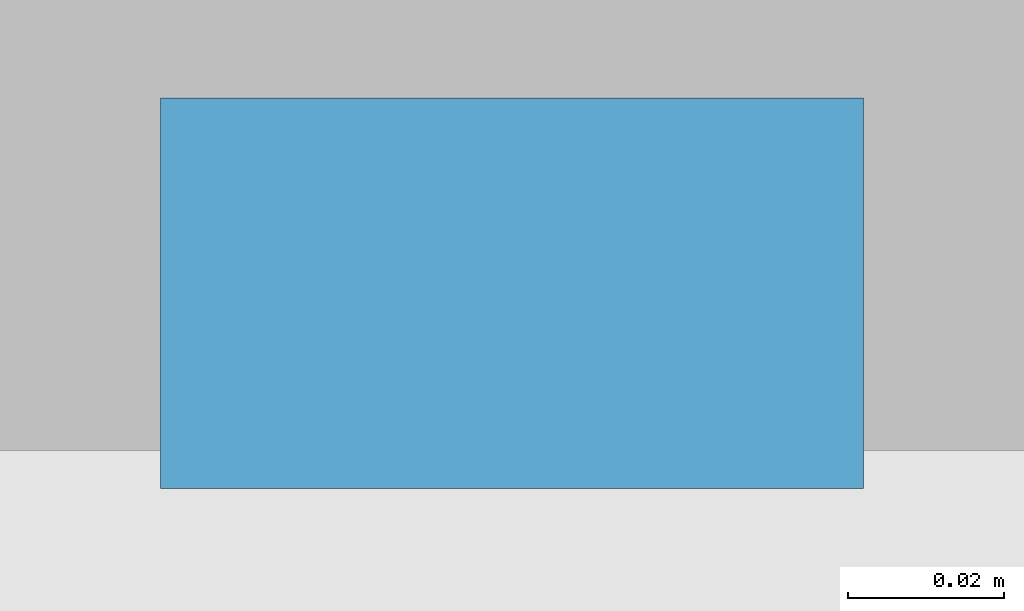
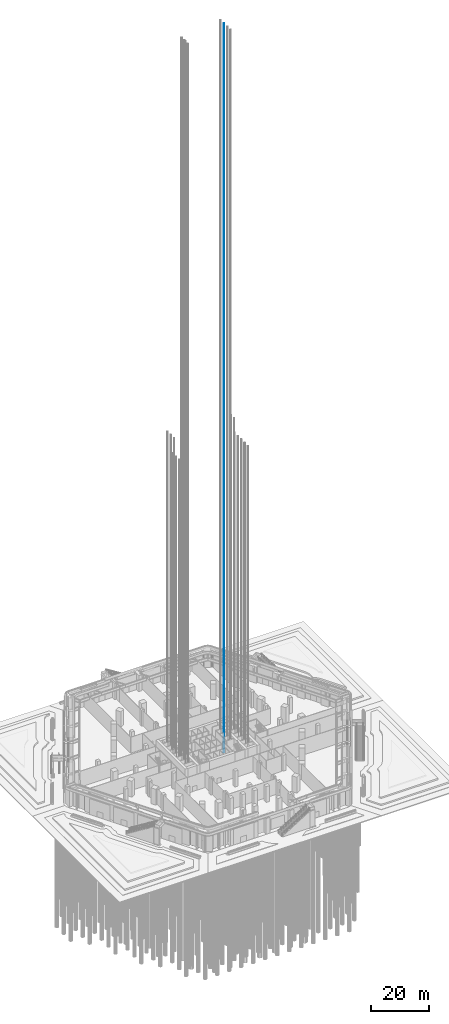
# One storey, part 53 of 68: 1 discrete accessory.
"""IFC4 building model written with IfcOpenShell, lengths in metres."""

from ifc_helpers import new_model, si_unit, direction, frame, origin, origin_2d, place, context, subcontext, project, spatial, rectangle, extrude, element, save


model = new_model("IFC4")

# Units and contexts
model_context = context("Model", 3, precision=1e-05, world=origin(), true_north=direction((0.0, 1.0)))
body_context = subcontext(model_context, "Body", "Model", "MODEL_VIEW")
ifc_project = project(units=[si_unit("LENGTHUNIT", "METRE"), si_unit("AREAUNIT", "SQUARE_METRE"), si_unit("VOLUMEUNIT", "CUBIC_METRE"), si_unit("PLANEANGLEUNIT", "RADIAN"), si_unit("MASSUNIT", "GRAM", prefix="KILO")], contexts=[model_context])

# Site, building, storey
site_placement = place(None, origin())
site = spatial("IfcSite", under=ifc_project, at=site_placement, CompositionType="ELEMENT")
building_placement = place(site_placement, origin())
building = spatial("IfcBuilding", under=site, at=building_placement, Name="Kolab Exchange Tower", CompositionType="ELEMENT")
storey_placement = place(building_placement, origin())
storey = spatial("IfcBuildingStorey", under=building, at=storey_placement, Name="L00", CompositionType="ELEMENT", Elevation=0.0)

# Discrete accessory
discrete_accessory_placement = place(storey_placement, frame((7.800048828125, 2.27001953125, -1.599853515625), z_axis=(0.0, 0.0, 1.0), x_axis=(1.0, 0.0, 0.0)))
element("IfcDiscreteAccessory", 1, at=discrete_accessory_placement, inside=storey, Name="Guide rail SV2-2", ObjectType="GUIDE RAIL", PredefinedType="USERDEFINED", context=body_context, shape_type="SweptSolid", body=[
    extrude(rectangle(XDim=0.090087890625, YDim=0.050048828125, at=origin_2d()), origin(), (0.0, 0.0, 1.0), 307.89990234375),
])

save(model, "model.ifc")
